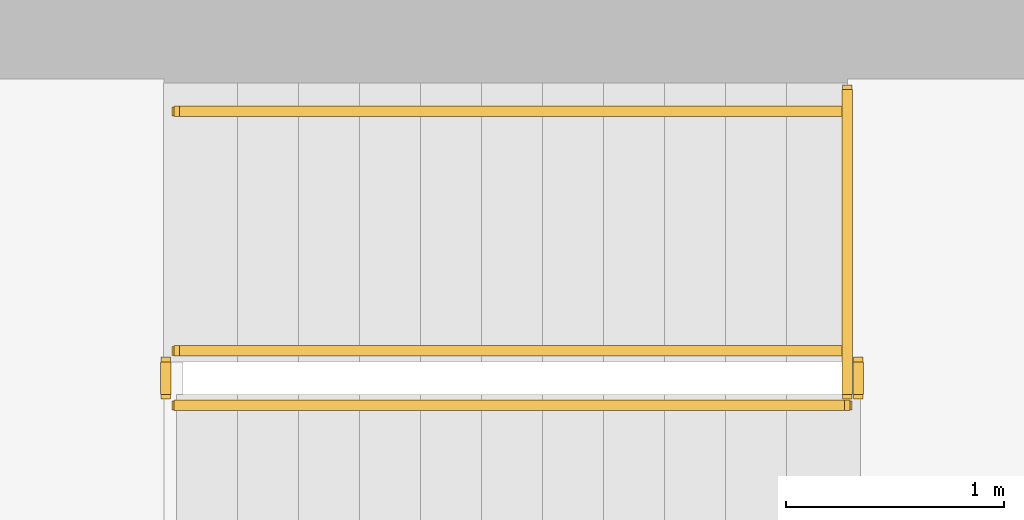
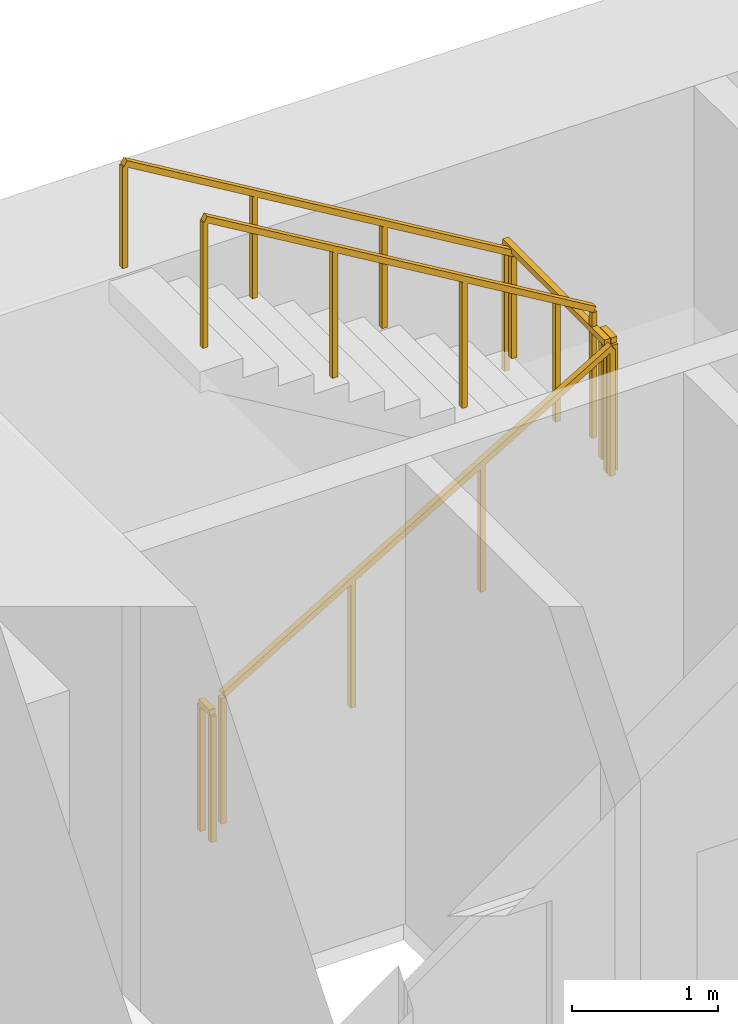
# One storey, part 15 of 16: 6 railings.
"""IFC4 building model written with IfcOpenShell, lengths in metres."""

from ifc_helpers import new_model, si_unit, direction, frame, origin, origin_2d, place, context, subcontext, project, spatial, rectangle, extrude, material, type_object, element, save


model = new_model("IFC4")

# Units and contexts
model_context = context("Model", 3, precision=1e-05, world=origin(), true_north=direction((0.0, 1.0)))
body_context = subcontext(model_context, "Body", "Model", "MODEL_VIEW")
ifc_project = project(units=[si_unit("LENGTHUNIT", "METRE"), si_unit("AREAUNIT", "SQUARE_METRE"), si_unit("VOLUMEUNIT", "CUBIC_METRE"), si_unit("PLANEANGLEUNIT", "RADIAN"), si_unit("MASSUNIT", "GRAM", prefix="KILO")], contexts=[model_context])

# Site, building, storey
site_placement = place(None, origin())
site = spatial("IfcSite", under=ifc_project, at=site_placement, CompositionType="ELEMENT")
building_placement = place(site_placement, origin())
building = spatial("IfcBuilding", under=site, at=building_placement, Name="Sennacour Bend Tower", CompositionType="ELEMENT")
storey_placement = place(building_placement, frame((0.0, 0.0, 91.0)))
storey = spatial("IfcBuildingStorey", under=building, at=storey_placement, Name="L20", CompositionType="ELEMENT", Elevation=91.0)

# Railings
ifc_material = material(Name="Stainless steel", Category="steel")
railing_type_1 = type_object("IfcRailingType", Name="RL-GUARD-1100", PredefinedType="GUARDRAIL", material=ifc_material)
railing_1_placement = place(storey_placement, frame((56.699951171875, 19.85009765625, 0.166748046875)))
element("IfcRailing", 1, at=railing_1_placement, inside=storey, type_object=railing_type_1, Name="L20 SA2 stair guard 1", PredefinedType="GUARDRAIL", context=body_context, shape_type="SweptSolid", body=[
    extrude(rectangle(XDim=0.048095703125, YDim=0.048095703125, at=origin_2d()), frame((0.0, 0.0, 1.076171875), z_axis=(0.859308565015, 0.0, 0.511457515432), x_axis=(0.0, 1.0, 0.0)), (0.0, 0.0, 1.0), 3.58447265625),
    extrude(rectangle(XDim=0.0419921875, YDim=0.0419921875, at=origin_2d()), origin(), (0.0, 0.0, 1.0), 1.052001953125),
    extrude(rectangle(XDim=0.0419921875, YDim=0.0419921875, at=origin_2d()), frame((1.026611328125, 0.0, 0.611083984375)), (0.0, 0.0, 1.0), 1.052001953125),
    extrude(rectangle(XDim=0.0419921875, YDim=0.0419921875, at=origin_2d()), frame((2.053466796875, 0.0, 1.22216796875)), (0.0, 0.0, 1.0), 1.052001953125),
    extrude(rectangle(XDim=0.0419921875, YDim=0.0419921875, at=origin_2d()), frame((3.080078125, 0.0, 1.833251953125)), (0.0, 0.0, 1.0), 1.052001953125),
])
railing_2_placement = place(storey_placement, frame((59.830078125, 19.89990234375, 2.0)))
element("IfcRailing", 2, at=railing_2_placement, inside=storey, type_object=railing_type_1, Name="L20 SA2 stair guard 2", PredefinedType="GUARDRAIL", context=body_context, shape_type="SweptSolid", body=[
    extrude(rectangle(XDim=0.048095703125, YDim=0.048095703125, at=origin_2d()), frame((0.0, 0.0, 1.076171875), z_axis=(0.0, 1.0, 0.0), x_axis=(-1.0, 0.0, 0.0)), (0.0, 0.0, 1.0), 0.150146484375),
    extrude(rectangle(XDim=0.0419921875, YDim=0.0419921875, at=origin_2d()), origin(), (0.0, 0.0, 1.0), 1.052001953125),
    extrude(rectangle(XDim=0.0419921875, YDim=0.0419921875, at=origin_2d()), frame((0.0, 0.150146484375, 0.0)), (0.0, 0.0, 1.0), 1.052001953125),
])
railing_3_placement = place(storey_placement, frame((59.780029296875, 20.10009765625, 2.166748046875)))
element("IfcRailing", 3, at=railing_3_placement, inside=storey, type_object=railing_type_1, Name="L20 SA2 stair guard 4", PredefinedType="GUARDRAIL", context=body_context, shape_type="SweptSolid", body=[
    extrude(rectangle(XDim=0.048095703125, YDim=0.048095703125, at=origin_2d()), frame((0.0, 0.0, 1.076171875), z_axis=(-0.859308565015, 0.0, 0.511457515432), x_axis=(0.0, -1.0, 0.0)), (0.0, 0.0, 1.0), 3.58447265625),
    extrude(rectangle(XDim=0.0419921875, YDim=0.0419921875, at=origin_2d()), origin(), (0.0, 0.0, 1.0), 1.052001953125),
    extrude(rectangle(XDim=0.0419921875, YDim=0.0419921875, at=origin_2d()), frame((-1.026611328125, 0.0, 0.611083984375)), (0.0, 0.0, 1.0), 1.052001953125),
    extrude(rectangle(XDim=0.0419921875, YDim=0.0419921875, at=origin_2d()), frame((-2.053466796875, 0.0, 1.22216796875)), (0.0, 0.0, 1.0), 1.052001953125),
    extrude(rectangle(XDim=0.0419921875, YDim=0.0419921875, at=origin_2d()), frame((-3.080078125, 0.0, 1.833251953125)), (0.0, 0.0, 1.0), 1.052001953125),
])
railing_4_placement = place(storey_placement, frame((56.64990234375, 19.89990234375, 0.0)))
element("IfcRailing", 4, at=railing_4_placement, inside=storey, type_object=railing_type_1, Name="L20 SA2 stair guard 5", PredefinedType="GUARDRAIL", context=body_context, shape_type="SweptSolid", body=[
    extrude(rectangle(XDim=0.048095703125, YDim=0.048095703125, at=origin_2d()), frame((0.0, 0.0, 1.076171875), z_axis=(0.0, 1.0, 0.0), x_axis=(-1.0, 0.0, 0.0)), (0.0, 0.0, 1.0), 0.150146484375),
    extrude(rectangle(XDim=0.0419921875, YDim=0.0419921875, at=origin_2d()), origin(), (0.0, 0.0, 1.0), 1.052001953125),
    extrude(rectangle(XDim=0.0419921875, YDim=0.0419921875, at=origin_2d()), frame((0.0, 0.150146484375, 0.0)), (0.0, 0.0, 1.0), 1.052001953125),
])
railing_5_placement = place(storey_placement, frame((59.780029296875, 19.89990234375, 2.0)))
element("IfcRailing", 5, at=railing_5_placement, inside=storey, type_object=railing_type_1, Name="L20 SA2 landing edge guard 33", PredefinedType="GUARDRAIL", context=body_context, shape_type="SweptSolid", body=[
    extrude(rectangle(XDim=0.048095703125, YDim=0.048095703125, at=origin_2d()), frame((0.0, 0.0, 1.076171875), z_axis=(0.0, 1.0, 0.0), x_axis=(-1.0, 0.0, 0.0)), (0.0, 0.0, 1.0), 1.400146484375),
    extrude(rectangle(XDim=0.0419921875, YDim=0.0419921875, at=origin_2d()), origin(), (0.0, 0.0, 1.0), 1.052001953125),
    extrude(rectangle(XDim=0.0419921875, YDim=0.0419921875, at=origin_2d()), frame((0.0, 0.7001953125, 0.0)), (0.0, 0.0, 1.0), 1.052001953125),
    extrude(rectangle(XDim=0.0419921875, YDim=0.0419921875, at=origin_2d()), frame((0.0, 1.400146484375, 0.0)), (0.0, 0.0, 1.0), 1.052001953125),
])
railing_type_2 = type_object("IfcRailingType", Name="RL-HANDRAIL-900", PredefinedType="HANDRAIL", material=ifc_material)
railing_6_placement = place(storey_placement, frame((59.780029296875, 21.199951171875, 2.166748046875)))
element("IfcRailing", 6, at=railing_6_placement, inside=storey, type_object=railing_type_2, Name="L20 SA2 stair handrail 2", PredefinedType="HANDRAIL", context=body_context, shape_type="SweptSolid", body=[
    extrude(rectangle(XDim=0.048095703125, YDim=0.048095703125, at=origin_2d()), frame((0.0, 0.0, 0.8759765625), z_axis=(-0.859308565015, 0.0, 0.511457515432), x_axis=(0.0, -1.0, 0.0)), (0.0, 0.0, 1.0), 3.58447265625),
    extrude(rectangle(XDim=0.0419921875, YDim=0.0419921875, at=origin_2d()), origin(), (0.0, 0.0, 1.0), 0.851806640625),
    extrude(rectangle(XDim=0.0419921875, YDim=0.0419921875, at=origin_2d()), frame((-1.026611328125, 0.0, 0.611083984375)), (0.0, 0.0, 1.0), 0.851806640625),
    extrude(rectangle(XDim=0.0419921875, YDim=0.0419921875, at=origin_2d()), frame((-2.053466796875, 0.0, 1.22216796875)), (0.0, 0.0, 1.0), 0.851806640625),
    extrude(rectangle(XDim=0.0419921875, YDim=0.0419921875, at=origin_2d()), frame((-3.080078125, 0.0, 1.833251953125)), (0.0, 0.0, 1.0), 0.851806640625),
])

save(model, "model.ifc")
